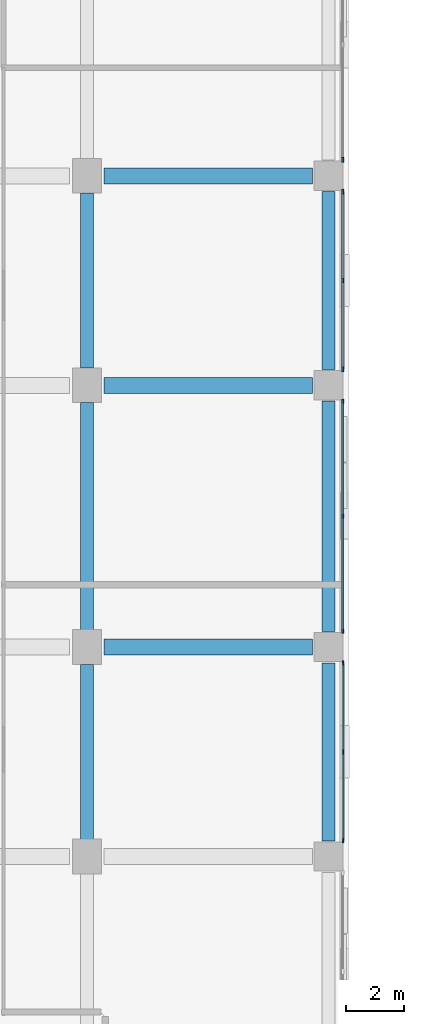
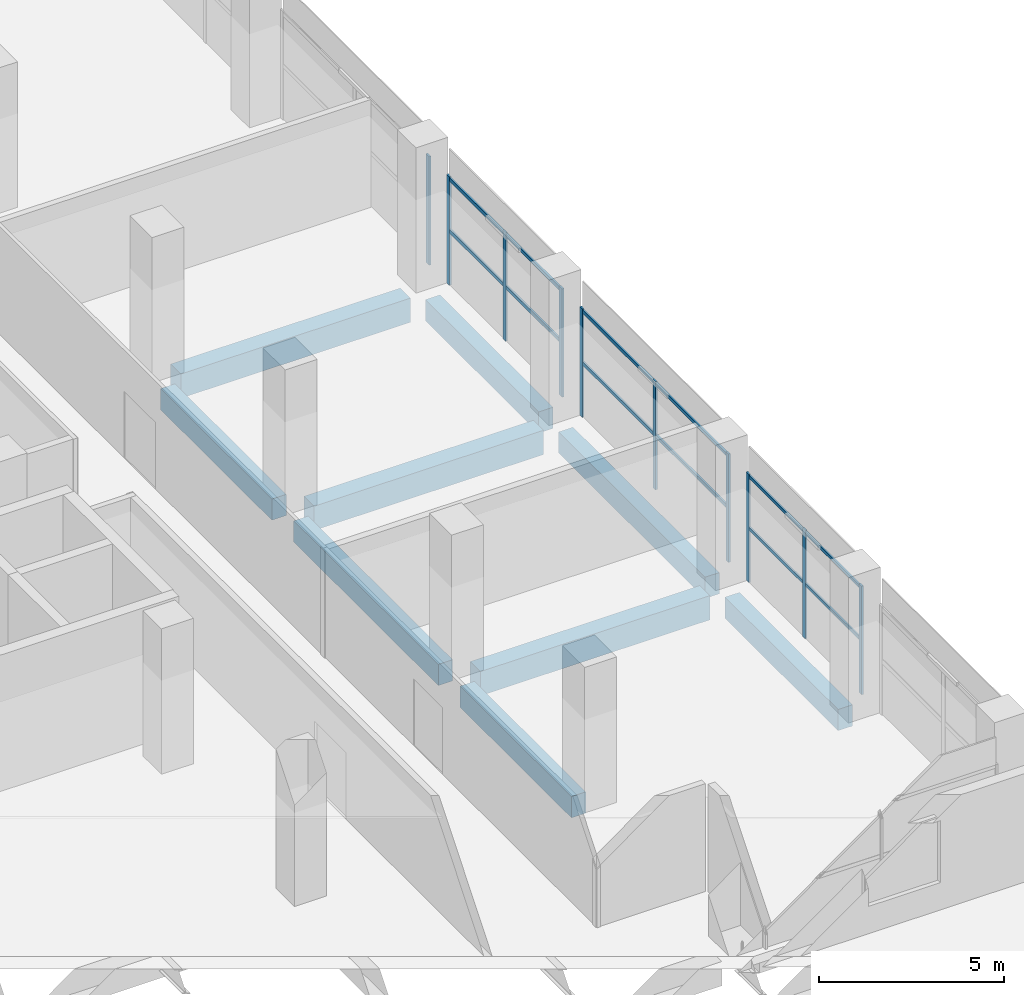
# One storey, part 12 of 111: 16 members, 9 beams, 4 elements without a shape of their own.
"""IFC4 building model written with IfcOpenShell, lengths in metres."""

from ifc_helpers import new_model, si_unit, direction, frame, origin, origin_2d, place, context, subcontext, project, spatial, rectangle, extrude, material, material_profile, profile_set, type_object, element, aggregate, save


model = new_model("IFC4")

# Units and contexts
model_context = context("Model", 3, precision=1e-05, world=origin(), true_north=direction((0.0, 1.0)))
body_context = subcontext(model_context, "Body", "Model", "MODEL_VIEW")
ifc_project = project(units=[si_unit("LENGTHUNIT", "METRE"), si_unit("AREAUNIT", "SQUARE_METRE"), si_unit("VOLUMEUNIT", "CUBIC_METRE"), si_unit("PLANEANGLEUNIT", "RADIAN"), si_unit("MASSUNIT", "GRAM", prefix="KILO"), si_unit("THERMODYNAMICTEMPERATUREUNIT", "KELVIN"), si_unit("POWERUNIT", "WATT")], contexts=[model_context])

# Site, building, storey
site_placement = place(None, origin())
site = spatial("IfcSite", under=ifc_project, at=site_placement, CompositionType="ELEMENT")
building_placement = place(site_placement, origin())
building = spatial("IfcBuilding", under=site, at=building_placement, Name="Sindhuravela Promenade Stadium", CompositionType="ELEMENT")
storey_placement = place(building_placement, frame((0.0, 0.0, 9.60009765625)))
storey = spatial("IfcBuildingStorey", under=building, at=storey_placement, Name="L02", CompositionType="ELEMENT", Elevation=9.60009765625)

# Curtain wall, member
ifc_material_1 = material(Name="Anodised architectural aluminium 6063-T6", Category="aluminium")
curtain_wall_type_1 = type_object("IfcCurtainWallType", Name="CW-MOD-5", PredefinedType="NOTDEFINED", material=ifc_material_1)
curtain_wall_1_placement = place(storey_placement, origin())
curtain_wall_1 = element("IfcCurtainWall", 1, at=curtain_wall_1_placement, inside=storey, type_object=curtain_wall_type_1, Name="Bronze curtain wall CW-WEST-L02-020", PredefinedType="NOTDEFINED")
ifc_material_profile_1 = material_profile(ifc_material_1, rectangle(XDim=0.06005859375, YDim=0.179931640625, at=origin_2d()), Name="ALU M60x180")
ifc_profile_set_1 = profile_set([ifc_material_profile_1], Name="Anodised architectural aluminium 6063-T6")
member_type_1 = type_object("IfcMemberType", Name="CW-MUL-3", PredefinedType="MULLION", material=ifc_profile_set_1)
member_1_placement = place(storey_placement, frame((44.800048828125, 68.949951171875, 0.0), z_axis=(0.0, 0.0, 1.0), x_axis=(1.0, 0.0, 0.0)))
member_1 = element("IfcMember", 2, at=member_1_placement, type_object=member_type_1, Name="Curtain wall mullion CW-WEST-L02-020-M3", PredefinedType="MULLION", context=body_context, shape_type="SweptSolid", body=[
    extrude(rectangle(XDim=0.06005859375, YDim=0.179931640625, at=origin_2d()), origin(), (0.0, 0.0, 1.0), 3.579833984375),
])
aggregate(curtain_wall_1, [member_1])

# Curtain wall, members
curtain_wall_type_2 = type_object("IfcCurtainWallType", Name="CW-MOD-6", PredefinedType="NOTDEFINED", material=ifc_material_1)
curtain_wall_2_placement = place(storey_placement, origin())
curtain_wall_2 = element("IfcCurtainWall", 3, at=curtain_wall_2_placement, inside=storey, type_object=curtain_wall_type_2, Name="Bronze curtain wall CW-WEST-L02-021", PredefinedType="NOTDEFINED")
ifc_material_profile_2 = material_profile(ifc_material_1, rectangle(XDim=0.06005859375, YDim=0.159912109375, at=origin_2d()), Name="ALU M60x160")
ifc_profile_set_2 = profile_set([ifc_material_profile_2], Name="Anodised architectural aluminium 6063-T6")
member_type_2 = type_object("IfcMemberType", Name="CW-MUL-4", PredefinedType="MULLION", material=ifc_profile_set_2)
member_2_placement = place(storey_placement, frame((44.800048828125, 67.85009765625, 0.0), z_axis=(0.0, 0.0, 1.0), x_axis=(1.0, 0.0, 0.0)))
member_2 = element("IfcMember", 4, at=member_2_placement, type_object=member_type_2, Name="Curtain wall mullion CW-WEST-L02-021-M1", PredefinedType="MULLION", context=body_context, shape_type="SweptSolid", body=[
    extrude(rectangle(XDim=0.06005859375, YDim=0.159912109375, at=origin_2d()), origin(), (0.0, 0.0, 1.0), 3.579833984375),
])
member_3_placement = place(storey_placement, frame((44.800048828125, 64.800048828125, 0.0), z_axis=(0.0, 0.0, 1.0), x_axis=(1.0, 0.0, 0.0)))
member_3 = element("IfcMember", 5, at=member_3_placement, type_object=member_type_2, Name="Curtain wall mullion CW-WEST-L02-021-M2", PredefinedType="MULLION", context=body_context, shape_type="SweptSolid", body=[
    extrude(rectangle(XDim=0.06005859375, YDim=0.159912109375, at=origin_2d()), origin(), (0.0, 0.0, 1.0), 3.579833984375),
])
member_4_placement = place(storey_placement, frame((44.800048828125, 61.75, 0.0), z_axis=(0.0, 0.0, 1.0), x_axis=(1.0, 0.0, 0.0)))
member_4 = element("IfcMember", 6, at=member_4_placement, type_object=member_type_2, Name="Curtain wall mullion CW-WEST-L02-021-M3", PredefinedType="MULLION", context=body_context, shape_type="SweptSolid", body=[
    extrude(rectangle(XDim=0.06005859375, YDim=0.159912109375, at=origin_2d()), origin(), (0.0, 0.0, 1.0), 3.579833984375),
])

curtain_wall_type_3 = type_object("IfcCurtainWallType", Name="CW-MOD-7", PredefinedType="NOTDEFINED", material=ifc_material_1)
curtain_wall_3_placement = place(storey_placement, origin())
curtain_wall_3 = element("IfcCurtainWall", 7, at=curtain_wall_3_placement, inside=storey, type_object=curtain_wall_type_3, Name="Bronze curtain wall CW-WEST-L02-022", PredefinedType="NOTDEFINED")
ifc_material_profile_3 = material_profile(ifc_material_1, rectangle(XDim=0.06005859375, YDim=0.139892578125, at=origin_2d()), Name="ALU M60x140")
ifc_profile_set_3 = profile_set([ifc_material_profile_3], Name="Anodised architectural aluminium 6063-T6")
member_type_3 = type_object("IfcMemberType", Name="CW-MUL-5", PredefinedType="MULLION", material=ifc_profile_set_3)
member_5_placement = place(storey_placement, frame((44.800048828125, 60.64990234375, 0.0), z_axis=(0.0, 0.0, 1.0), x_axis=(1.0, 0.0, 0.0)))
member_5 = element("IfcMember", 8, at=member_5_placement, type_object=member_type_3, Name="Curtain wall mullion CW-WEST-L02-022-M1", PredefinedType="MULLION", context=body_context, shape_type="SweptSolid", body=[
    extrude(rectangle(XDim=0.06005859375, YDim=0.139892578125, at=origin_2d()), origin(), (0.0, 0.0, 1.0), 3.579833984375),
])
member_6_placement = place(storey_placement, frame((44.800048828125, 56.699951171875, 0.0), z_axis=(0.0, 0.0, 1.0), x_axis=(1.0, 0.0, 0.0)))
member_6 = element("IfcMember", 9, at=member_6_placement, type_object=member_type_3, Name="Curtain wall mullion CW-WEST-L02-022-M2", PredefinedType="MULLION", context=body_context, shape_type="SweptSolid", body=[
    extrude(rectangle(XDim=0.06005859375, YDim=0.139892578125, at=origin_2d()), origin(), (0.0, 0.0, 1.0), 3.579833984375),
])
member_7_placement = place(storey_placement, frame((44.800048828125, 52.75, 0.0), z_axis=(0.0, 0.0, 1.0), x_axis=(1.0, 0.0, 0.0)))
member_7 = element("IfcMember", 10, at=member_7_placement, type_object=member_type_3, Name="Curtain wall mullion CW-WEST-L02-022-M3", PredefinedType="MULLION", context=body_context, shape_type="SweptSolid", body=[
    extrude(rectangle(XDim=0.06005859375, YDim=0.139892578125, at=origin_2d()), origin(), (0.0, 0.0, 1.0), 3.579833984375),
])

curtain_wall_type_4 = type_object("IfcCurtainWallType", Name="CW-MOD-8", PredefinedType="NOTDEFINED", material=ifc_material_1)
curtain_wall_4_placement = place(storey_placement, origin())
curtain_wall_4 = element("IfcCurtainWall", 11, at=curtain_wall_4_placement, inside=storey, type_object=curtain_wall_type_4, Name="Bronze curtain wall CW-WEST-L02-023", PredefinedType="NOTDEFINED")
ifc_material_profile_4 = material_profile(ifc_material_1, rectangle(XDim=0.054931640625, YDim=0.14990234375, at=origin_2d()), Name="ALU M55x150")
ifc_profile_set_4 = profile_set([ifc_material_profile_4], Name="Anodised architectural aluminium 6063-T6")
member_type_4 = type_object("IfcMemberType", Name="CW-MUL-6", PredefinedType="MULLION", material=ifc_profile_set_4)
member_8_placement = place(storey_placement, frame((44.800048828125, 51.64990234375, 0.0), z_axis=(0.0, 0.0, 1.0), x_axis=(1.0, 0.0, 0.0)))
member_8 = element("IfcMember", 12, at=member_8_placement, type_object=member_type_4, Name="Curtain wall mullion CW-WEST-L02-023-M1", PredefinedType="MULLION", context=body_context, shape_type="SweptSolid", body=[
    extrude(rectangle(XDim=0.054931640625, YDim=0.14990234375, at=origin_2d()), origin(), (0.0, 0.0, 1.0), 3.579833984375),
])
member_9_placement = place(storey_placement, frame((44.800048828125, 48.60009765625, 0.0), z_axis=(0.0, 0.0, 1.0), x_axis=(1.0, 0.0, 0.0)))
member_9 = element("IfcMember", 13, at=member_9_placement, type_object=member_type_4, Name="Curtain wall mullion CW-WEST-L02-023-M2", PredefinedType="MULLION", context=body_context, shape_type="SweptSolid", body=[
    extrude(rectangle(XDim=0.054931640625, YDim=0.14990234375, at=origin_2d()), origin(), (0.0, 0.0, 1.0), 3.579833984375),
])
member_10_placement = place(storey_placement, frame((44.800048828125, 45.550048828125, 0.0), z_axis=(0.0, 0.0, 1.0), x_axis=(1.0, 0.0, 0.0)))
member_10 = element("IfcMember", 14, at=member_10_placement, type_object=member_type_4, Name="Curtain wall mullion CW-WEST-L02-023-M3", PredefinedType="MULLION", context=body_context, shape_type="SweptSolid", body=[
    extrude(rectangle(XDim=0.054931640625, YDim=0.14990234375, at=origin_2d()), origin(), (0.0, 0.0, 1.0), 3.579833984375),
])

# Member
ifc_material_profile_5 = material_profile(ifc_material_1, rectangle(XDim=0.06005859375, YDim=0.1201171875, at=origin_2d()), Name="ALU T60x120")
ifc_profile_set_5 = profile_set([ifc_material_profile_5], Name="Anodised architectural aluminium 6063-T6")
member_type_5 = type_object("IfcMemberType", Name="CW-TRN-4", PredefinedType="USERDEFINED", material=ifc_profile_set_5)
member_11_placement = place(storey_placement, frame((44.800048828125, 67.875, 1.789794921875), z_axis=(0.0, -1.0, 0.0), x_axis=(1.0, 0.0, 0.0)))
member_11 = element("IfcMember", 15, at=member_11_placement, type_object=member_type_5, Name="Curtain wall transom CW-WEST-L02-021-T1", ObjectType="TRANSOM", PredefinedType="USERDEFINED", context=body_context, shape_type="SweptSolid", body=[
    extrude(rectangle(XDim=0.06005859375, YDim=0.1201171875, at=origin_2d()), origin(), (0.0, 0.0, 1.0), 6.14990234375),
])

member_12_placement = place(storey_placement, frame((44.800048828125, 67.875, 3.5), z_axis=(0.0, -1.0, 0.0), x_axis=(1.0, 0.0, 0.0)))
member_12 = element("IfcMember", 16, at=member_12_placement, type_object=member_type_5, Name="Curtain wall transom CW-WEST-L02-021-T2", ObjectType="TRANSOM", PredefinedType="USERDEFINED", context=body_context, shape_type="SweptSolid", body=[
    extrude(rectangle(XDim=0.06005859375, YDim=0.1201171875, at=origin_2d()), origin(), (0.0, 0.0, 1.0), 6.14990234375),
])

aggregate(curtain_wall_2, [member_2, member_3, member_4, member_11, member_12])

ifc_material_profile_6 = material_profile(ifc_material_1, rectangle(XDim=0.06005859375, YDim=0.110107421875, at=origin_2d()), Name="ALU T60x110")
ifc_profile_set_6 = profile_set([ifc_material_profile_6], Name="Anodised architectural aluminium 6063-T6")
member_type_6 = type_object("IfcMemberType", Name="CW-TRN-5", PredefinedType="USERDEFINED", material=ifc_profile_set_6)
member_13_placement = place(storey_placement, frame((44.800048828125, 60.675048828125, 1.789794921875), z_axis=(0.0, -1.0, 0.0), x_axis=(1.0, 0.0, 0.0)))
member_13 = element("IfcMember", 17, at=member_13_placement, type_object=member_type_6, Name="Curtain wall transom CW-WEST-L02-022-T1", ObjectType="TRANSOM", PredefinedType="USERDEFINED", context=body_context, shape_type="SweptSolid", body=[
    extrude(rectangle(XDim=0.06005859375, YDim=0.110107421875, at=origin_2d()), origin(), (0.0, 0.0, 1.0), 7.949951171875),
])

member_14_placement = place(storey_placement, frame((44.800048828125, 60.675048828125, 3.5), z_axis=(0.0, -1.0, 0.0), x_axis=(1.0, 0.0, 0.0)))
member_14 = element("IfcMember", 18, at=member_14_placement, type_object=member_type_6, Name="Curtain wall transom CW-WEST-L02-022-T2", ObjectType="TRANSOM", PredefinedType="USERDEFINED", context=body_context, shape_type="SweptSolid", body=[
    extrude(rectangle(XDim=0.06005859375, YDim=0.110107421875, at=origin_2d()), origin(), (0.0, 0.0, 1.0), 7.949951171875),
])

aggregate(curtain_wall_3, [member_5, member_6, member_7, member_13, member_14])

ifc_material_profile_7 = material_profile(ifc_material_1, rectangle(XDim=0.054931640625, YDim=0.10498046875, at=origin_2d()), Name="ALU T55x105")
ifc_profile_set_7 = profile_set([ifc_material_profile_7], Name="Anodised architectural aluminium 6063-T6")
member_type_7 = type_object("IfcMemberType", Name="CW-TRN-6", PredefinedType="USERDEFINED", material=ifc_profile_set_7)
member_15_placement = place(storey_placement, frame((44.800048828125, 51.675048828125, 1.789794921875), z_axis=(0.0, -1.0, 0.0), x_axis=(1.0, 0.0, 0.0)))
member_15 = element("IfcMember", 19, at=member_15_placement, type_object=member_type_7, Name="Curtain wall transom CW-WEST-L02-023-T1", ObjectType="TRANSOM", PredefinedType="USERDEFINED", context=body_context, shape_type="SweptSolid", body=[
    extrude(rectangle(XDim=0.054931640625, YDim=0.10498046875, at=origin_2d()), origin(), (0.0, 0.0, 1.0), 6.150146484375),
])

member_16_placement = place(storey_placement, frame((44.800048828125, 51.675048828125, 3.5), z_axis=(0.0, -1.0, 0.0), x_axis=(1.0, 0.0, 0.0)))
member_16 = element("IfcMember", 20, at=member_16_placement, type_object=member_type_7, Name="Curtain wall transom CW-WEST-L02-023-T2", ObjectType="TRANSOM", PredefinedType="USERDEFINED", context=body_context, shape_type="SweptSolid", body=[
    extrude(rectangle(XDim=0.054931640625, YDim=0.10498046875, at=origin_2d()), origin(), (0.0, 0.0, 1.0), 6.150146484375),
])

aggregate(curtain_wall_4, [member_8, member_9, member_10, member_15, member_16])

# Beams
ifc_material_2 = material(Name="Concrete M40", Category="concrete")
ifc_material_profile_8 = material_profile(ifc_material_2, rectangle(XDim=0.449951171875, YDim=0.699951171875, at=origin_2d()), Name="RC 450x700")
ifc_profile_set_8 = profile_set([ifc_material_profile_8], Name="Concrete M40")
beam_type_1 = type_object("IfcBeamType", Name="RC-BM-450x700", PredefinedType="BEAM", material=ifc_profile_set_8)
beam_1_placement = place(storey_placement, frame((36.0, 45.590087890625, -0.630126953125), z_axis=(0.0, 1.0, 0.0), x_axis=(-1.0, 0.0, 0.0)))
element("IfcBeam", 21, at=beam_1_placement, inside=storey, type_object=beam_type_1, Name="Primary beam GB07 WEST L02", PredefinedType="BEAM", context=body_context, shape_type="SweptSolid", body=[
    extrude(rectangle(XDim=0.449951171875, YDim=0.699951171875, at=origin_2d()), origin(), (0.0, 0.0, 1.0), 6.02001953125),
])
beam_2_placement = place(storey_placement, frame((36.0, 52.7900390625, -0.630126953125), z_axis=(0.0, 1.0, 0.0), x_axis=(-1.0, 0.0, 0.0)))
element("IfcBeam", 22, at=beam_2_placement, inside=storey, type_object=beam_type_1, Name="Primary beam GB07 WEST L02", PredefinedType="BEAM", context=body_context, shape_type="SweptSolid", body=[
    extrude(rectangle(XDim=0.449951171875, YDim=0.699951171875, at=origin_2d()), origin(), (0.0, 0.0, 1.0), 7.820068359375),
])
beam_3_placement = place(storey_placement, frame((36.0, 61.7900390625, -0.630126953125), z_axis=(0.0, 1.0, 0.0), x_axis=(-1.0, 0.0, 0.0)))
element("IfcBeam", 23, at=beam_3_placement, inside=storey, type_object=beam_type_1, Name="Primary beam GB07 WEST L02", PredefinedType="BEAM", context=body_context, shape_type="SweptSolid", body=[
    extrude(rectangle(XDim=0.449951171875, YDim=0.699951171875, at=origin_2d()), origin(), (0.0, 0.0, 1.0), 6.02001953125),
])
beam_4_placement = place(storey_placement, frame((44.300048828125, 45.5400390625, -0.630126953125), z_axis=(0.0, 1.0, 0.0), x_axis=(-1.0, 0.0, 0.0)))
element("IfcBeam", 24, at=beam_4_placement, inside=storey, type_object=beam_type_1, Name="Primary beam GB07 WEST L02", PredefinedType="BEAM", context=body_context, shape_type="SweptSolid", body=[
    extrude(rectangle(XDim=0.449951171875, YDim=0.699951171875, at=origin_2d()), origin(), (0.0, 0.0, 1.0), 6.119873046875),
])
beam_5_placement = place(storey_placement, frame((44.300048828125, 52.739990234375, -0.630126953125), z_axis=(0.0, 1.0, 0.0), x_axis=(-1.0, 0.0, 0.0)))
element("IfcBeam", 25, at=beam_5_placement, inside=storey, type_object=beam_type_1, Name="Primary beam GB07 WEST L02", PredefinedType="BEAM", context=body_context, shape_type="SweptSolid", body=[
    extrude(rectangle(XDim=0.449951171875, YDim=0.699951171875, at=origin_2d()), origin(), (0.0, 0.0, 1.0), 7.919921875),
])
beam_6_placement = place(storey_placement, frame((44.300048828125, 61.739990234375, -0.630126953125), z_axis=(0.0, 1.0, 0.0), x_axis=(-1.0, 0.0, 0.0)))
element("IfcBeam", 26, at=beam_6_placement, inside=storey, type_object=beam_type_1, Name="Primary beam GB07 WEST L02", PredefinedType="BEAM", context=body_context, shape_type="SweptSolid", body=[
    extrude(rectangle(XDim=0.449951171875, YDim=0.699951171875, at=origin_2d()), origin(), (0.0, 0.0, 1.0), 6.1201171875),
])
ifc_material_profile_9 = material_profile(ifc_material_2, rectangle(XDim=0.550048828125, YDim=0.800048828125, at=origin_2d()), Name="RC 550x800")
ifc_profile_set_9 = profile_set([ifc_material_profile_9], Name="Concrete M40")
beam_type_2 = type_object("IfcBeamType", Name="RC-BM-550x800", PredefinedType="BEAM", material=ifc_profile_set_9)
for number, where, z_axis, x_axis, name in (
    (27, (36.590087890625, 52.199951171875, -0.68017578125), (1.0, 0.0, 0.0), (0.0, 1.0, 0.0), "Primary girder GB05 WEST L02"),
    (28, (36.590087890625, 61.199951171875, -0.68017578125), (1.0, 0.0, 0.0), (0.0, 1.0, 0.0), "Primary girder GB05 WEST L02"),
    (29, (36.590087890625, 68.39990234375, -0.68017578125), (1.0, 0.0, 0.0), (0.0, 1.0, 0.0), "Primary girder GB05 WEST L02"),
):
    element("IfcBeam", number, at=place(storey_placement, frame(where, z_axis=z_axis, x_axis=x_axis)), inside=storey, type_object=beam_type_2, Name=name, PredefinedType="BEAM", context=body_context, shape_type="SweptSolid", body=[
        extrude(rectangle(XDim=0.550048828125, YDim=0.800048828125, at=origin_2d()), origin(), (0.0, 0.0, 1.0), 7.169921875),
    ])

save(model, "model.ifc")
